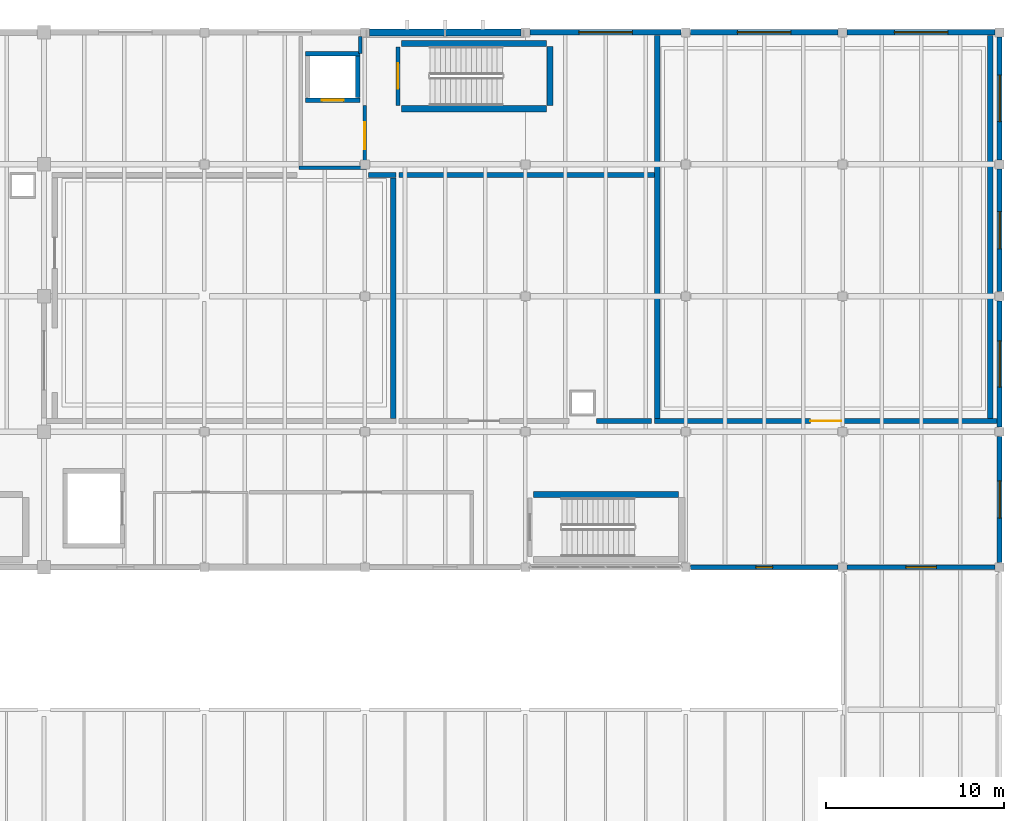
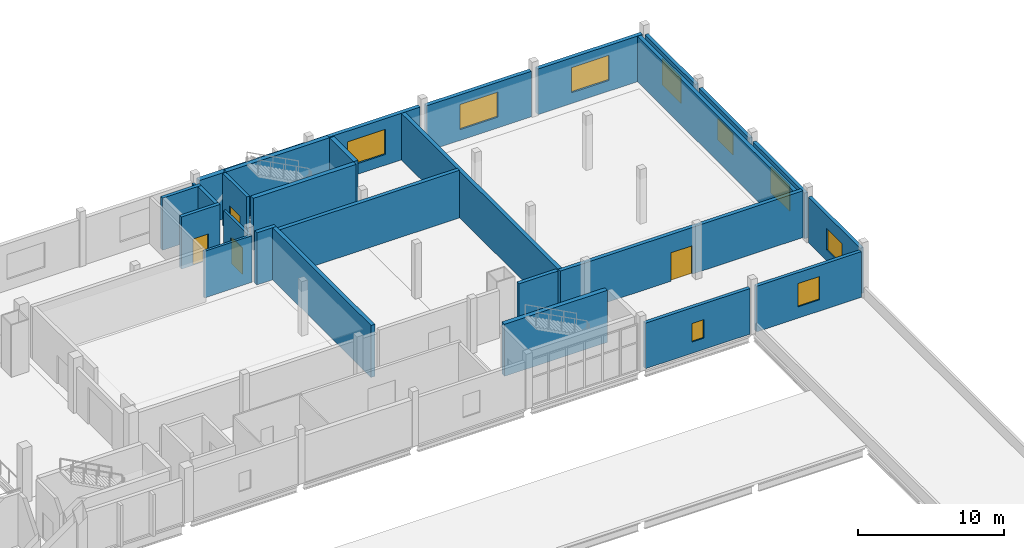
# One storey, part 64 of 74: 28 walls, 9 windows, 4 doors, 13 openings.
"""IFC4 building model written with IfcOpenShell, lengths in metres."""

from ifc_helpers import new_model, si_unit, direction, frame, frame_2d, origin, place, context, subcontext, project, spatial, rectangle, extrude, material, layer, layer_set, type_object, element, fill, save


model = new_model("IFC4")

# Units and contexts
model_context = context("Model", 3, precision=1e-05, world=origin(), true_north=direction((0.0, 1.0)))
body_context = subcontext(model_context, "Body", "Model", "MODEL_VIEW")
ifc_project = project(units=[si_unit("LENGTHUNIT", "METRE"), si_unit("AREAUNIT", "SQUARE_METRE"), si_unit("VOLUMEUNIT", "CUBIC_METRE"), si_unit("PLANEANGLEUNIT", "RADIAN"), si_unit("MASSUNIT", "GRAM", prefix="KILO")], contexts=[model_context])

# Site, building, storey
site_placement = place(None, origin())
site = spatial("IfcSite", under=ifc_project, at=site_placement, CompositionType="ELEMENT")
building_placement = place(site_placement, origin())
building = spatial("IfcBuilding", under=site, at=building_placement, Name="Shengluoqiao Park Theatre", CompositionType="ELEMENT")
storey_placement = place(building_placement, frame((0.0, 0.0, 14.60009765625)))
storey = spatial("IfcBuildingStorey", under=building, at=storey_placement, Name="L03", CompositionType="ELEMENT", Elevation=14.60009765625)

# Wall, opening, window
ifc_material_1 = material(Name="Concrete C40", Category="concrete")
ifc_layer_1 = layer(ifc_material_1, 0.27001953125, Name="Concrete C40")
ifc_layer_set_1 = layer_set([ifc_layer_1], Name="Concrete C40")
wall_type_1 = type_object("IfcWallType", Name="ENV-WL-CONC270", PredefinedType="STANDARD", material=ifc_layer_set_1)
wall_1_placement = place(storey_placement, frame((148.654052734375, 84.0, 0.0), z_axis=(0.0, 0.0, 1.0), x_axis=(1.0, 0.0, 0.0)))
wall_1 = element("IfcWall", 1, at=wall_1_placement, inside=storey, type_object=wall_type_1, Name="L03 Exterior Wall 0245", PredefinedType="STANDARD", context=body_context, shape_type="SweptSolid", body=[
    extrude(rectangle(XDim=8.2919921875, YDim=0.27001953125, at=frame_2d((4.14599609375, 0.0))), origin(), (0.0, 0.0, 1.0), 3.81787109375),
])
opening_1_placement = place(wall_1_placement, frame((3.6708984375, 0.0, 0.949951171875)))
opening_1 = element("IfcOpeningElement", 2, at=opening_1_placement, cuts=wall_1, Name="Opening W-08", PredefinedType="OPENING", context=body_context, shape_type="SweptSolid", body=[
    extrude(rectangle(XDim=0.949951171875, YDim=1.550048828125, at=frame_2d((0.47509765625, 0.77490234375))), frame((0.0, 0.14501953125, 0.0), z_axis=(0.0, -1.0, 0.0), x_axis=(1.0, 0.0, 0.0)), (0.0, 0.0, 1.0), 0.2900390625),
])
ifc_material_2 = material(Name="Insulated glass", Category="glass")
window_type_1 = type_object("IfcWindowType", Name="ENV-WIN-W08", PartitioningType="SINGLE_PANEL", PredefinedType="WINDOW", material=ifc_material_2)
window_1_placement = place(opening_1_placement, origin())
window_1 = element("IfcWindow", 3, at=window_1_placement, inside=storey, type_object=window_type_1, Name="L03 Acoustic Window 0087", OverallHeight=1.550048828125, OverallWidth=0.949951171875, PartitioningType="SINGLE_PANEL", PredefinedType="WINDOW", context=body_context, shape_type="SweptSolid", body=[
    extrude(rectangle(XDim=0.949951171875, YDim=1.550048828125, at=frame_2d((0.47509765625, 0.77490234375))), frame((0.0, 0.030029296875, 0.0), z_axis=(0.0, -1.0, 0.0), x_axis=(1.0, 0.0, 0.0)), (0.0, 0.0, 1.0), 0.06005859375),
])
fill(opening_1, window_1)

wall_2_placement = place(storey_placement, frame((157.4541015625, 84.0, 0.0), z_axis=(0.0, 0.0, 1.0), x_axis=(1.0, 0.0, 0.0)))
wall_2 = element("IfcWall", 4, at=wall_2_placement, inside=storey, type_object=wall_type_1, Name="L03 Exterior Wall 0246", PredefinedType="STANDARD", context=body_context, shape_type="SweptSolid", body=[
    extrude(rectangle(XDim=8.2919921875, YDim=0.27001953125, at=frame_2d((4.14599609375, 0.0))), origin(), (0.0, 0.0, 1.0), 3.81787109375),
])
opening_2_placement = place(wall_2_placement, frame((3.2958984375, 0.0, 0.949951171875)))
opening_2 = element("IfcOpeningElement", 5, at=opening_2_placement, cuts=wall_2, Name="Opening W-16", PredefinedType="OPENING", context=body_context, shape_type="SweptSolid", body=[
    extrude(rectangle(XDim=1.699951171875, YDim=1.949951171875, at=frame_2d((0.85009765625, 0.97509765625))), frame((0.0, 0.14501953125, 0.0), z_axis=(0.0, -1.0, 0.0), x_axis=(1.0, 0.0, 0.0)), (0.0, 0.0, 1.0), 0.2900390625),
])
window_type_2 = type_object("IfcWindowType", Name="ENV-WIN-W16", PartitioningType="DOUBLE_PANEL_VERTICAL", PredefinedType="WINDOW", material=ifc_material_2)
window_2_placement = place(opening_2_placement, origin())
window_2 = element("IfcWindow", 6, at=window_2_placement, inside=storey, type_object=window_type_2, Name="L03 Acoustic Window 0088", OverallHeight=1.949951171875, OverallWidth=1.699951171875, PartitioningType="DOUBLE_PANEL_VERTICAL", PredefinedType="WINDOW", context=body_context, shape_type="SweptSolid", body=[
    extrude(rectangle(XDim=1.699951171875, YDim=1.949951171875, at=frame_2d((0.85009765625, 0.97509765625))), frame((0.0, 0.030029296875, 0.0), z_axis=(0.0, -1.0, 0.0), x_axis=(1.0, 0.0, 0.0)), (0.0, 0.0, 1.0), 0.06005859375),
])
fill(opening_2, window_2)

wall_3_placement = place(storey_placement, frame((166.0, 84.25390625, 0.0), z_axis=(0.0, 0.0, 1.0), x_axis=(0.0, 1.0, 0.0)))
wall_3 = element("IfcWall", 7, at=wall_3_placement, inside=storey, type_object=wall_type_1, Name="L03 Exterior Wall 0247", PredefinedType="STANDARD", context=body_context, shape_type="SweptSolid", body=[
    extrude(rectangle(XDim=7.092041015625, YDim=0.27001953125, at=frame_2d((3.5458984375, 0.0))), origin(), (0.0, 0.0, 1.0), 3.81787109375),
])
opening_3_placement = place(wall_3_placement, frame((2.49609375, 0.0, 0.89990234375)))
opening_3 = element("IfcOpeningElement", 8, at=opening_3_placement, cuts=wall_3, Name="Opening W-05", PredefinedType="OPENING", context=body_context, shape_type="SweptSolid", body=[
    extrude(rectangle(XDim=2.10009765625, YDim=1.800048828125, at=frame_2d((1.050048828125, 0.89990234375))), frame((0.0, 0.14501953125, 0.0), z_axis=(0.0, -1.0, 0.0), x_axis=(1.0, 0.0, 0.0)), (0.0, 0.0, 1.0), 0.2900390625),
])
window_type_3 = type_object("IfcWindowType", Name="ENV-WIN-W05", PartitioningType="DOUBLE_PANEL_VERTICAL", PredefinedType="WINDOW", material=ifc_material_2)
window_3_placement = place(opening_3_placement, origin())
window_3 = element("IfcWindow", 9, at=window_3_placement, inside=storey, type_object=window_type_3, Name="L03 Acoustic Window 0089", OverallHeight=1.800048828125, OverallWidth=2.10009765625, PartitioningType="DOUBLE_PANEL_VERTICAL", PredefinedType="WINDOW", context=body_context, shape_type="SweptSolid", body=[
    extrude(rectangle(XDim=2.10009765625, YDim=1.800048828125, at=frame_2d((1.050048828125, 0.89990234375))), frame((0.0, 0.030029296875, 0.0), z_axis=(0.0, -1.0, 0.0), x_axis=(1.0, 0.0, 0.0)), (0.0, 0.0, 1.0), 0.06005859375),
])
fill(opening_3, window_3)

wall_4_placement = place(storey_placement, frame((166.0, 91.85400390625, 0.0), z_axis=(0.0, 0.0, 1.0), x_axis=(0.0, 1.0, 0.0)))
wall_4 = element("IfcWall", 10, at=wall_4_placement, inside=storey, type_object=wall_type_1, Name="L03 Exterior Wall 0248", PredefinedType="STANDARD", context=body_context, shape_type="SweptSolid", body=[
    extrude(rectangle(XDim=7.092041015625, YDim=0.27001953125, at=frame_2d((3.5458984375, 0.0))), origin(), (0.0, 0.0, 1.0), 3.81787109375),
])
opening_4_placement = place(wall_4_placement, frame((2.24609375, 0.0, 0.89990234375)))
opening_4 = element("IfcOpeningElement", 11, at=opening_4_placement, cuts=wall_4, Name="Opening W-14", PredefinedType="OPENING", context=body_context, shape_type="SweptSolid", body=[
    extrude(rectangle(XDim=2.60009765625, YDim=2.199951171875, at=frame_2d((1.300048828125, 1.10009765625))), frame((0.0, 0.14501953125, 0.0), z_axis=(0.0, -1.0, 0.0), x_axis=(1.0, 0.0, 0.0)), (0.0, 0.0, 1.0), 0.2900390625),
])
window_type_4 = type_object("IfcWindowType", Name="ENV-WIN-W14", PartitioningType="DOUBLE_PANEL_VERTICAL", PredefinedType="WINDOW", material=ifc_material_2)
window_4_placement = place(opening_4_placement, origin())
window_4 = element("IfcWindow", 12, at=window_4_placement, inside=storey, type_object=window_type_4, Name="L03 Acoustic Window 0090", OverallHeight=2.199951171875, OverallWidth=2.60009765625, PartitioningType="DOUBLE_PANEL_VERTICAL", PredefinedType="WINDOW", context=body_context, shape_type="SweptSolid", body=[
    extrude(rectangle(XDim=2.60009765625, YDim=2.199951171875, at=frame_2d((1.300048828125, 1.10009765625))), frame((0.0, 0.030029296875, 0.0), z_axis=(0.0, -1.0, 0.0), x_axis=(1.0, 0.0, 0.0)), (0.0, 0.0, 1.0), 0.06005859375),
])
fill(opening_4, window_4)

wall_5_placement = place(storey_placement, frame((166.0, 99.4541015625, 0.0), z_axis=(0.0, 0.0, 1.0), x_axis=(0.0, 1.0, 0.0)))
wall_5 = element("IfcWall", 13, at=wall_5_placement, inside=storey, type_object=wall_type_1, Name="L03 Exterior Wall 0249", PredefinedType="STANDARD", context=body_context, shape_type="SweptSolid", body=[
    extrude(rectangle(XDim=6.891845703125, YDim=0.27001953125, at=frame_2d((3.44580078125, 0.0))), origin(), (0.0, 0.0, 1.0), 3.81787109375),
])
opening_5_placement = place(wall_5_placement, frame((2.39599609375, 0.0, 0.89990234375)))
opening_5 = element("IfcOpeningElement", 14, at=opening_5_placement, cuts=wall_5, Name="Opening W-05", PredefinedType="OPENING", context=body_context, shape_type="SweptSolid", body=[
    extrude(rectangle(XDim=2.10009765625, YDim=1.800048828125, at=frame_2d((1.050048828125, 0.89990234375))), frame((0.0, 0.14501953125, 0.0), z_axis=(0.0, -1.0, 0.0), x_axis=(1.0, 0.0, 0.0)), (0.0, 0.0, 1.0), 0.2900390625),
])
window_5_placement = place(opening_5_placement, origin())
window_5 = element("IfcWindow", 15, at=window_5_placement, inside=storey, type_object=window_type_3, Name="L03 Acoustic Window 0091", OverallHeight=1.800048828125, OverallWidth=2.10009765625, PartitioningType="DOUBLE_PANEL_VERTICAL", PredefinedType="WINDOW", context=body_context, shape_type="SweptSolid", body=[
    extrude(rectangle(XDim=2.10009765625, YDim=1.800048828125, at=frame_2d((1.050048828125, 0.89990234375))), frame((0.0, 0.030029296875, 0.0), z_axis=(0.0, -1.0, 0.0), x_axis=(1.0, 0.0, 0.0)), (0.0, 0.0, 1.0), 0.06005859375),
])
fill(opening_5, window_5)

wall_6_placement = place(storey_placement, frame((166.0, 106.85400390625, 0.0), z_axis=(0.0, 0.0, 1.0), x_axis=(0.0, 1.0, 0.0)))
wall_6 = element("IfcWall", 16, at=wall_6_placement, inside=storey, type_object=wall_type_1, Name="L03 Exterior Wall 0250", PredefinedType="STANDARD", context=body_context, shape_type="SweptSolid", body=[
    extrude(rectangle(XDim=6.89208984375, YDim=0.27001953125, at=frame_2d((3.446044921875, 0.0))), origin(), (0.0, 0.0, 1.0), 3.81787109375),
])
opening_6_placement = place(wall_6_placement, frame((2.14599609375, 0.0, 0.89990234375)))
opening_6 = element("IfcOpeningElement", 17, at=opening_6_placement, cuts=wall_6, Name="Opening W-14", PredefinedType="OPENING", context=body_context, shape_type="SweptSolid", body=[
    extrude(rectangle(XDim=2.60009765625, YDim=2.199951171875, at=frame_2d((1.300048828125, 1.10009765625))), frame((0.0, 0.14501953125, 0.0), z_axis=(0.0, -1.0, 0.0), x_axis=(1.0, 0.0, 0.0)), (0.0, 0.0, 1.0), 0.2900390625),
])
window_6_placement = place(opening_6_placement, origin())
window_6 = element("IfcWindow", 18, at=window_6_placement, inside=storey, type_object=window_type_4, Name="L03 Acoustic Window 0092", OverallHeight=2.199951171875, OverallWidth=2.60009765625, PartitioningType="DOUBLE_PANEL_VERTICAL", PredefinedType="WINDOW", context=body_context, shape_type="SweptSolid", body=[
    extrude(rectangle(XDim=2.60009765625, YDim=2.199951171875, at=frame_2d((1.300048828125, 1.10009765625))), frame((0.0, 0.030029296875, 0.0), z_axis=(0.0, -1.0, 0.0), x_axis=(1.0, 0.0, 0.0)), (0.0, 0.0, 1.0), 0.06005859375),
])
fill(opening_6, window_6)

ifc_layer_2 = layer(ifc_material_1, 0.31005859375, Name="Concrete C40")
ifc_layer_set_2 = layer_set([ifc_layer_2], Name="Concrete C40")
wall_type_2 = type_object("IfcWallType", Name="ENV-WL-CONC310", PredefinedType="STANDARD", material=ifc_layer_set_2)
wall_7_placement = place(storey_placement, frame((139.654052734375, 114.0, 0.0), z_axis=(0.0, 0.0, 1.0), x_axis=(1.0, 0.0, 0.0)))
wall_7 = element("IfcWall", 19, at=wall_7_placement, inside=storey, type_object=wall_type_2, Name="L03 Exterior Wall 0239", PredefinedType="STANDARD", context=body_context, shape_type="SweptSolid", body=[
    extrude(rectangle(XDim=8.491943359375, YDim=0.31005859375, at=frame_2d((4.24609375, 0.0))), origin(), (0.0, 0.0, 1.0), 3.89794921875),
])
opening_7_placement = place(wall_7_placement, frame((2.74609375, 0.0, 0.89990234375)))
opening_7 = element("IfcOpeningElement", 20, at=opening_7_placement, cuts=wall_7, Name="Opening W-13", PredefinedType="OPENING", context=body_context, shape_type="SweptSolid", body=[
    extrude(rectangle(XDim=3.0, YDim=2.10009765625, at=frame_2d((1.5, 1.050048828125))), frame((0.0, 0.1650390625, 0.0), z_axis=(0.0, -1.0, 0.0), x_axis=(1.0, 0.0, 0.0)), (0.0, 0.0, 1.0), 0.330078125),
])
window_type_5 = type_object("IfcWindowType", Name="ENV-WIN-W13", PartitioningType="TRIPLE_PANEL_VERTICAL", PredefinedType="WINDOW", material=ifc_material_2)
window_7_placement = place(opening_7_placement, origin())
window_7 = element("IfcWindow", 21, at=window_7_placement, inside=storey, type_object=window_type_5, Name="L03 Acoustic Window 0082", OverallHeight=2.10009765625, OverallWidth=3.0, PartitioningType="TRIPLE_PANEL_VERTICAL", PredefinedType="WINDOW", context=body_context, shape_type="SweptSolid", body=[
    extrude(rectangle(XDim=3.0, YDim=2.10009765625, at=frame_2d((1.5, 1.050048828125))), frame((0.0, 0.030029296875, 0.0), z_axis=(0.0, -1.0, 0.0), x_axis=(1.0, 0.0, 0.0)), (0.0, 0.0, 1.0), 0.06005859375),
])
fill(opening_7, window_7)

wall_8_placement = place(storey_placement, frame((148.654052734375, 114.0, 0.0), z_axis=(0.0, 0.0, 1.0), x_axis=(1.0, 0.0, 0.0)))
wall_8 = element("IfcWall", 22, at=wall_8_placement, inside=storey, type_object=wall_type_2, Name="L03 Exterior Wall 0240", PredefinedType="STANDARD", context=body_context, shape_type="SweptSolid", body=[
    extrude(rectangle(XDim=8.2919921875, YDim=0.31005859375, at=frame_2d((4.14599609375, 0.0))), origin(), (0.0, 0.0, 1.0), 3.81787109375),
])
opening_8_placement = place(wall_8_placement, frame((2.64599609375, 0.0, 0.89990234375)))
opening_8 = element("IfcOpeningElement", 23, at=opening_8_placement, cuts=wall_8, Name="Opening W-13", PredefinedType="OPENING", context=body_context, shape_type="SweptSolid", body=[
    extrude(rectangle(XDim=3.0, YDim=2.10009765625, at=frame_2d((1.5, 1.050048828125))), frame((0.0, 0.1650390625, 0.0), z_axis=(0.0, -1.0, 0.0), x_axis=(1.0, 0.0, 0.0)), (0.0, 0.0, 1.0), 0.330078125),
])
window_8_placement = place(opening_8_placement, origin())
window_8 = element("IfcWindow", 24, at=window_8_placement, inside=storey, type_object=window_type_5, Name="L03 Acoustic Window 0083", OverallHeight=2.10009765625, OverallWidth=3.0, PartitioningType="TRIPLE_PANEL_VERTICAL", PredefinedType="WINDOW", context=body_context, shape_type="SweptSolid", body=[
    extrude(rectangle(XDim=3.0, YDim=2.10009765625, at=frame_2d((1.5, 1.050048828125))), frame((0.0, 0.030029296875, 0.0), z_axis=(0.0, -1.0, 0.0), x_axis=(1.0, 0.0, 0.0)), (0.0, 0.0, 1.0), 0.06005859375),
])
fill(opening_8, window_8)

wall_9_placement = place(storey_placement, frame((157.4541015625, 114.0, 0.0), z_axis=(0.0, 0.0, 1.0), x_axis=(1.0, 0.0, 0.0)))
wall_9 = element("IfcWall", 25, at=wall_9_placement, inside=storey, type_object=wall_type_2, Name="L03 Exterior Wall 0241", PredefinedType="STANDARD", context=body_context, shape_type="SweptSolid", body=[
    extrude(rectangle(XDim=8.2919921875, YDim=0.31005859375, at=frame_2d((4.14599609375, 0.0))), origin(), (0.0, 0.0, 1.0), 3.81787109375),
])
opening_9_placement = place(wall_9_placement, frame((2.64599609375, 0.0, 0.89990234375)))
opening_9 = element("IfcOpeningElement", 26, at=opening_9_placement, cuts=wall_9, Name="Opening W-13", PredefinedType="OPENING", context=body_context, shape_type="SweptSolid", body=[
    extrude(rectangle(XDim=3.0, YDim=2.10009765625, at=frame_2d((1.5, 1.050048828125))), frame((0.0, 0.1650390625, 0.0), z_axis=(0.0, -1.0, 0.0), x_axis=(1.0, 0.0, 0.0)), (0.0, 0.0, 1.0), 0.330078125),
])
window_9_placement = place(opening_9_placement, origin())
window_9 = element("IfcWindow", 27, at=window_9_placement, inside=storey, type_object=window_type_5, Name="L03 Acoustic Window 0084", OverallHeight=2.10009765625, OverallWidth=3.0, PartitioningType="TRIPLE_PANEL_VERTICAL", PredefinedType="WINDOW", context=body_context, shape_type="SweptSolid", body=[
    extrude(rectangle(XDim=3.0, YDim=2.10009765625, at=frame_2d((1.5, 1.050048828125))), frame((0.0, 0.030029296875, 0.0), z_axis=(0.0, -1.0, 0.0), x_axis=(1.0, 0.0, 0.0)), (0.0, 0.0, 1.0), 0.06005859375),
])
fill(opening_9, window_9)

# Walls
ifc_material_3 = material(Name="Concrete C45", Category="concrete")
ifc_layer_3 = layer(ifc_material_3, 0.3798828125, Name="Concrete C45")
ifc_layer_set_3 = layer_set([ifc_layer_3], Name="Concrete C45")
wall_type_3 = type_object("IfcWallType", Name="ENV-WL-CONC380", PredefinedType="STANDARD", material=ifc_layer_set_3)
wall_10_placement = place(storey_placement, frame((130.654052734375, 114.0, 0.0), z_axis=(0.0, 0.0, 1.0), x_axis=(1.0, 0.0, 0.0)))
element("IfcWall", 28, at=wall_10_placement, inside=storey, type_object=wall_type_3, Name="L03 Exterior Wall 0238", PredefinedType="STANDARD", context=body_context, shape_type="SweptSolid", body=[
    extrude(rectangle(XDim=8.491943359375, YDim=0.3798828125, at=frame_2d((4.24609375, 0.0))), origin(), (0.0, 0.0, 1.0), 3.89794921875),
])
ifc_material_4 = material(Name="Gypsum acoustic stud", Category="gypsum")
ifc_layer_4 = layer(ifc_material_4, 0.300048828125, Name="Gypsum acoustic stud")
ifc_layer_set_4 = layer_set([ifc_layer_4], Name="Gypsum acoustic stud")
wall_type_4 = type_object("IfcWallType", Name="INT-WL-ACO300", PredefinedType="PARTITIONING", material=ifc_layer_set_4)
wall_11_placement = place(storey_placement, frame((130.607421875, 106.0, 0.0), z_axis=(0.0, 0.0, 1.0), x_axis=(1.0, 0.0, 0.0)))
element("IfcWall", 29, at=wall_11_placement, inside=storey, type_object=wall_type_4, Name="Full-Stage Rehearsal Room Partition N", PredefinedType="PARTITIONING", context=body_context, shape_type="SweptSolid", body=[
    extrude(rectangle(XDim=1.54248046875, YDim=0.300048828125, at=frame_2d((0.771240234375, 0.0))), origin(), (0.0, 0.0, 1.0), 4.35986328125),
])
wall_12_placement = place(storey_placement, frame((132.0, 92.35595703125, 0.0), z_axis=(0.0, 0.0, 1.0), x_axis=(0.0, 1.0, 0.0)))
element("IfcWall", 30, at=wall_12_placement, inside=storey, type_object=wall_type_4, Name="Full-Stage Rehearsal Room Partition E", PredefinedType="PARTITIONING", context=body_context, shape_type="SweptSolid", body=[
    extrude(rectangle(XDim=13.488037109375, YDim=0.300048828125, at=frame_2d((6.744140625, 0.0))), origin(), (0.0, 0.0, 1.0), 4.35986328125),
])

# Wall, opening, door
wall_13_placement = place(storey_placement, frame((146.64990234375, 92.199951171875, 0.0), z_axis=(0.0, 0.0, 1.0), x_axis=(1.0, 0.0, 0.0)))
wall_13 = element("IfcWall", 31, at=wall_13_placement, inside=storey, type_object=wall_type_4, Name="Chorus Rehearsal Room Partition S", PredefinedType="PARTITIONING", context=body_context, shape_type="SweptSolid", body=[
    extrude(rectangle(XDim=19.20703125, YDim=0.300048828125, at=frame_2d((9.603515625, 0.0))), origin(), (0.0, 0.0, 1.0), 3.907958984375),
])
opening_10_placement = place(wall_13_placement, frame((8.743408203125, 0.0, 0.0)))
opening_10 = element("IfcOpeningElement", 32, at=opening_10_placement, cuts=wall_13, Name="Opening D-L03-080", PredefinedType="OPENING", context=body_context, shape_type="SweptSolid", body=[
    extrude(rectangle(XDim=1.719970703125, YDim=2.3798828125, at=frame_2d((0.85986328125, 1.18994140625))), frame((0.0, 0.159912109375, 0.0), z_axis=(0.0, -1.0, 0.0), x_axis=(1.0, 0.0, 0.0)), (0.0, 0.0, 1.0), 0.320068359375),
])
ifc_material_5 = material(Name="Acoustic timber", Category="wood")
door_type_1 = type_object("IfcDoorType", Name="INT-DR-REH172", OperationType="DOUBLE_DOOR_SINGLE_SWING", PredefinedType="DOOR", material=ifc_material_5)
door_1_placement = place(opening_10_placement, origin())
door_1 = element("IfcDoor", 33, at=door_1_placement, inside=storey, type_object=door_type_1, Name="Chorus Rehearsal Room Door D-L03-080", OperationType="DOUBLE_DOOR_SINGLE_SWING", OverallHeight=2.3798828125, OverallWidth=1.719970703125, PredefinedType="DOOR", context=body_context, shape_type="SweptSolid", body=[
    extrude(rectangle(XDim=1.719970703125, YDim=2.3798828125, at=frame_2d((0.85986328125, 1.18994140625))), frame((0.0, 0.02490234375, 0.0), z_axis=(0.0, -1.0, 0.0), x_axis=(1.0, 0.0, 0.0)), (0.0, 0.0, 1.0), 0.050048828125),
])
fill(opening_10, door_1)

# Walls
wall_14_placement = place(storey_placement, frame((146.800048828125, 92.35595703125, 0.0), z_axis=(0.0, 0.0, 1.0), x_axis=(0.0, 1.0, 0.0)))
element("IfcWall", 34, at=wall_14_placement, inside=storey, type_object=wall_type_4, Name="Chorus Rehearsal Room Partition W", PredefinedType="PARTITIONING", context=body_context, shape_type="SweptSolid", body=[
    extrude(rectangle(XDim=21.48095703125, YDim=0.300048828125, at=frame_2d((10.740478515625, 0.0))), origin(), (0.0, 0.0, 1.0), 3.89794921875),
])
wall_15_placement = place(storey_placement, frame((165.47998046875, 92.35595703125, 0.0), z_axis=(0.0, 0.0, 1.0), x_axis=(0.0, 1.0, 0.0)))
element("IfcWall", 35, at=wall_15_placement, inside=storey, type_object=wall_type_4, Name="Chorus Rehearsal Room Partition E", PredefinedType="PARTITIONING", context=body_context, shape_type="SweptSolid", body=[
    extrude(rectangle(XDim=21.48095703125, YDim=0.300048828125, at=frame_2d((10.740478515625, 0.0))), origin(), (0.0, 0.0, 1.0), 3.81787109375),
])
wall_16_placement = place(storey_placement, frame((143.382568359375, 92.199951171875, 0.0), z_axis=(0.0, 0.0, 1.0), x_axis=(1.0, 0.0, 0.0)))
element("IfcWall", 36, at=wall_16_placement, inside=storey, type_object=wall_type_4, Name="Percussion and Brass Section Studio Partition S", PredefinedType="PARTITIONING", context=body_context, shape_type="SweptSolid", body=[
    extrude(rectangle(XDim=3.097412109375, YDim=0.300048828125, at=frame_2d((1.548828125, 0.0))), origin(), (0.0, 0.0, 1.0), 3.98779296875),
])
wall_17_placement = place(storey_placement, frame((132.320068359375, 106.0, 0.0), z_axis=(0.0, 0.0, 1.0), x_axis=(1.0, 0.0, 0.0)))
element("IfcWall", 37, at=wall_17_placement, inside=storey, type_object=wall_type_4, Name="Percussion and Brass Section Studio Partition N", PredefinedType="PARTITIONING", context=body_context, shape_type="SweptSolid", body=[
    extrude(rectangle(XDim=14.322021484375, YDim=0.300048828125, at=frame_2d((7.1611328125, 0.0))), origin(), (0.0, 0.0, 1.0), 3.98779296875),
])
ifc_material_6 = material(Name="Concrete blockwork B06", Category="masonry")
ifc_layer_5 = layer(ifc_material_6, 0.195068359375, Name="Concrete blockwork B06")
ifc_layer_set_5 = layer_set([ifc_layer_5], Name="Concrete blockwork B06")
wall_type_5 = type_object("IfcWallType", Name="INT-WL-FFL195", PredefinedType="PARTITIONING", material=ifc_layer_set_5)
wall_18_placement = place(storey_placement, frame((126.7099609375, 106.39990234375, 0.0), z_axis=(0.0, 0.0, 1.0), x_axis=(1.0, 0.0, 0.0)))
element("IfcWall", 38, at=wall_18_placement, inside=storey, type_object=wall_type_5, Name="L03 Firefighting Lift Lobby FF2 Fire Wall S", PredefinedType="PARTITIONING", context=body_context, shape_type="SweptSolid", body=[
    extrude(rectangle(XDim=3.780029296875, YDim=0.195068359375, at=frame_2d((1.89013671875, 0.0))), origin(), (0.0, 0.0, 1.0), 3.89794921875),
])

# Wall, opening, door
wall_19_placement = place(storey_placement, frame((130.39990234375, 106.5048828125, 0.0), z_axis=(0.0, 0.0, 1.0), x_axis=(0.0, 1.0, 0.0)))
wall_19 = element("IfcWall", 39, at=wall_19_placement, inside=storey, type_object=wall_type_5, Name="L03 Firefighting Lift Lobby FF2 Fire Wall E", PredefinedType="PARTITIONING", context=body_context, shape_type="SweptSolid", body=[
    extrude(rectangle(XDim=3.39013671875, YDim=0.195068359375, at=frame_2d((1.695068359375, 0.0))), origin(), (0.0, 0.0, 1.0), 3.89794921875),
])
opening_11_placement = place(wall_19_placement, frame((0.945068359375, 0.0, 0.0)))
opening_11 = element("IfcOpeningElement", 40, at=opening_11_placement, cuts=wall_19, Name="Opening FD-FFL-2-L03", PredefinedType="OPENING", context=body_context, shape_type="SweptSolid", body=[
    extrude(rectangle(XDim=1.5, YDim=2.199951171875, at=frame_2d((0.75, 1.10009765625))), frame((0.0, 0.107421875, 0.0), z_axis=(0.0, -1.0, 0.0), x_axis=(1.0, 0.0, 0.0)), (0.0, 0.0, 1.0), 0.215087890625),
])
ifc_material_7 = material(Name="Steel Q355", Category="steel")
door_type_2 = type_object("IfcDoorType", Name="INT-DR-FFL150", OperationType="DOUBLE_DOOR_SINGLE_SWING", PredefinedType="DOOR", material=ifc_material_7)
door_2_placement = place(opening_11_placement, origin())
door_2 = element("IfcDoor", 41, at=door_2_placement, inside=storey, type_object=door_type_2, Name="L03 Firefighting Lift Lobby FF2 Fire Door FD-FFL-2-L03", OperationType="DOUBLE_DOOR_SINGLE_SWING", OverallHeight=2.199951171875, OverallWidth=1.5, PredefinedType="DOOR", context=body_context, shape_type="SweptSolid", body=[
    extrude(rectangle(XDim=1.5, YDim=2.199951171875, at=frame_2d((0.75, 1.10009765625))), frame((0.0, 0.02490234375, 0.0), z_axis=(0.0, -1.0, 0.0), x_axis=(1.0, 0.0, 0.0)), (0.0, 0.0, 1.0), 0.050048828125),
])
fill(opening_11, door_2)

# Wall
wall_20_placement = place(storey_placement, frame((130.139892578125, 112.820068359375, 0.0), z_axis=(0.0, 0.0, 1.0), x_axis=(0.0, 1.0, 0.0)))
element("IfcWall", 42, at=wall_20_placement, inside=storey, type_object=wall_type_5, Name="L03 Firefighting Lift Lobby FF2 Fire Wall N", PredefinedType="PARTITIONING", context=body_context, shape_type="SweptSolid", body=[
    extrude(rectangle(XDim=0.9599609375, YDim=0.195068359375, at=frame_2d((0.47998046875, 0.0))), origin(), (0.0, 0.0, 1.0), 3.89794921875),
])

# Wall, opening, door
ifc_layer_6 = layer(ifc_material_1, 0.260009765625, Name="Concrete C40")
ifc_layer_set_6 = layer_set([ifc_layer_6], Name="Concrete C40")
wall_type_6 = type_object("IfcWallType", Name="INT-WL-SHF260", PredefinedType="STANDARD", material=ifc_layer_set_6)
wall_21_placement = place(storey_placement, frame((127.070068359375, 110.199951171875, 0.0), z_axis=(0.0, 0.0, 1.0), x_axis=(1.0, 0.0, 0.0)))
wall_21 = element("IfcWall", 43, at=wall_21_placement, inside=storey, type_object=wall_type_6, Name="L03 FF2 Lift Shaft Wall South", PredefinedType="STANDARD", context=body_context, shape_type="SweptSolid", body=[
    extrude(rectangle(XDim=3.059814453125, YDim=0.260009765625, at=frame_2d((1.52978515625, 0.0))), origin(), (0.0, 0.0, 1.0), 4.35986328125),
])
opening_12_placement = place(wall_21_placement, frame((0.919921875, 0.0, 0.0)))
opening_12 = element("IfcOpeningElement", 44, at=opening_12_placement, cuts=wall_21, Name="Opening LD-FF2-L03", PredefinedType="OPENING", context=body_context, shape_type="SweptSolid", body=[
    extrude(rectangle(XDim=1.219970703125, YDim=2.199951171875, at=frame_2d((0.60986328125, 1.10009765625))), frame((0.0, 0.139892578125, 0.0), z_axis=(0.0, -1.0, 0.0), x_axis=(1.0, 0.0, 0.0)), (0.0, 0.0, 1.0), 0.280029296875),
])
ifc_material_8 = material(Name="Stainless steel 304", Category="steel")
door_type_3 = type_object("IfcDoorType", Name="INT-DR-LD122", OperationType="SLIDING_TO_RIGHT", PredefinedType="DOOR", material=ifc_material_8)
door_3_placement = place(opening_12_placement, origin())
door_3 = element("IfcDoor", 45, at=door_3_placement, inside=storey, type_object=door_type_3, Name="FF2 Lift Landing Door LD-FF2-L03", OperationType="SLIDING_TO_RIGHT", OverallHeight=2.199951171875, OverallWidth=1.219970703125, PredefinedType="DOOR", context=body_context, shape_type="SweptSolid", body=[
    extrude(rectangle(XDim=1.219970703125, YDim=2.199951171875, at=frame_2d((0.60986328125, 1.10009765625))), frame((0.0, 0.02490234375, 0.0), z_axis=(0.0, -1.0, 0.0), x_axis=(1.0, 0.0, 0.0)), (0.0, 0.0, 1.0), 0.050048828125),
])
fill(opening_12, door_3)

# Walls
wall_22_placement = place(storey_placement, frame((127.070068359375, 112.800048828125, 0.0), z_axis=(0.0, 0.0, 1.0), x_axis=(1.0, 0.0, 0.0)))
element("IfcWall", 46, at=wall_22_placement, inside=storey, type_object=wall_type_6, Name="L03 FF2 Lift Shaft Wall North", PredefinedType="STANDARD", context=body_context, shape_type="SweptSolid", body=[
    extrude(rectangle(XDim=3.059814453125, YDim=0.260009765625, at=frame_2d((1.52978515625, 0.0))), origin(), (0.0, 0.0, 1.0), 4.35986328125),
])
wall_23_placement = place(storey_placement, frame((130.0, 110.3359375, 0.0), z_axis=(0.0, 0.0, 1.0), x_axis=(0.0, 1.0, 0.0)))
element("IfcWall", 47, at=wall_23_placement, inside=storey, type_object=wall_type_6, Name="L03 FF2 Lift Shaft Wall East", PredefinedType="STANDARD", context=body_context, shape_type="SweptSolid", body=[
    extrude(rectangle(XDim=2.328125, YDim=0.260009765625, at=frame_2d((1.1640625, 0.0))), origin(), (0.0, 0.0, 1.0), 4.35986328125),
])

# Wall, opening, door
ifc_layer_7 = layer(ifc_material_1, 0.239990234375, Name="Concrete C40")
ifc_layer_set_7 = layer_set([ifc_layer_7], Name="Concrete C40")
wall_type_7 = type_object("IfcWallType", Name="INT-WL-STW240", PredefinedType="STANDARD", material=ifc_layer_set_7)
wall_24_placement = place(storey_placement, frame((132.260009765625, 109.909912109375, 0.0), z_axis=(0.0, 0.0, 1.0), x_axis=(0.0, 1.0, 0.0)))
wall_24 = element("IfcWall", 48, at=wall_24_placement, inside=storey, type_object=wall_type_7, Name="L03 ST-06 Stairwell Fire Wall", PredefinedType="STANDARD", context=body_context, shape_type="SweptSolid", body=[
    extrude(rectangle(XDim=3.280029296875, YDim=0.239990234375, at=frame_2d((1.64013671875, 0.0))), origin(), (0.0, 0.0, 1.0), 4.35986328125),
])
opening_13_placement = place(wall_24_placement, frame((0.9150390625, 0.0, 0.0)))
opening_13 = element("IfcOpeningElement", 49, at=opening_13_placement, cuts=wall_24, Name="Opening SD-06-L03", PredefinedType="OPENING", context=body_context, shape_type="SweptSolid", body=[
    extrude(rectangle(XDim=1.449951171875, YDim=2.199951171875, at=frame_2d((0.72509765625, 1.10009765625))), frame((0.0, 0.1298828125, 0.0), z_axis=(0.0, -1.0, 0.0), x_axis=(1.0, 0.0, 0.0)), (0.0, 0.0, 1.0), 0.260009765625),
])
door_type_4 = type_object("IfcDoorType", Name="INT-DR-STW145", OperationType="DOUBLE_DOOR_SINGLE_SWING", PredefinedType="DOOR", material=ifc_material_7)
door_4_placement = place(opening_13_placement, origin())
door_4 = element("IfcDoor", 50, at=door_4_placement, inside=storey, type_object=door_type_4, Name="L03 ST-06 Escape Stair Door SD-06-L03", OperationType="DOUBLE_DOOR_SINGLE_SWING", OverallHeight=2.199951171875, OverallWidth=1.449951171875, PredefinedType="DOOR", context=body_context, shape_type="SweptSolid", body=[
    extrude(rectangle(XDim=1.449951171875, YDim=2.199951171875, at=frame_2d((0.72509765625, 1.10009765625))), frame((0.0, 0.02490234375, 0.0), z_axis=(0.0, -1.0, 0.0), x_axis=(1.0, 0.0, 0.0)), (0.0, 0.0, 1.0), 0.050048828125),
])
fill(opening_13, door_4)

# Walls
ifc_material_9 = material(Name="Concrete C50", Category="concrete")
ifc_layer_8 = layer(ifc_material_9, 0.35009765625, Name="Concrete C50")
ifc_layer_set_8 = layer_set([ifc_layer_8], Name="Concrete C50")
wall_type_8 = type_object("IfcWallType", Name="STR-SW-CORE350", PredefinedType="SHEAR", material=ifc_layer_set_8)
wall_25_placement = place(storey_placement, frame((132.449951171875, 109.719970703125, 0.0), z_axis=(0.0, 0.0, 1.0), x_axis=(1.0, 0.0, 0.0)))
element("IfcWall", 51, at=wall_25_placement, inside=storey, type_object=wall_type_8, Name="L03 ST-06 Core Left Shear Wall 0118", PredefinedType="SHEAR", context=body_context, shape_type="SweptSolid", body=[
    extrude(rectangle(XDim=8.150146484375, YDim=0.35009765625, at=frame_2d((4.0751953125, 0.0))), origin(), (0.0, 0.0, 1.0), 4.35986328125),
])
wall_26_placement = place(storey_placement, frame((140.780029296875, 109.89990234375, 0.0), z_axis=(0.0, 0.0, 1.0), x_axis=(0.0, 1.0, 0.0)))
element("IfcWall", 52, at=wall_26_placement, inside=storey, type_object=wall_type_8, Name="L03 ST-06 Core Far Shear Wall 0119", PredefinedType="SHEAR", context=body_context, shape_type="SweptSolid", body=[
    extrude(rectangle(XDim=3.300048828125, YDim=0.35009765625, at=frame_2d((1.64990234375, 0.0))), origin(), (0.0, 0.0, 1.0), 4.35986328125),
])
wall_27_placement = place(storey_placement, frame((140.60009765625, 113.3798828125, 0.0), z_axis=(0.0, 0.0, 1.0), x_axis=(-1.0, 0.0, 0.0)))
element("IfcWall", 53, at=wall_27_placement, inside=storey, type_object=wall_type_8, Name="L03 ST-06 Core Right Shear Wall 0120", PredefinedType="SHEAR", context=body_context, shape_type="SweptSolid", body=[
    extrude(rectangle(XDim=8.150146484375, YDim=0.35009765625, at=frame_2d((4.0751953125, 0.0))), origin(), (0.0, 0.0, 1.0), 4.35986328125),
])
wall_28_placement = place(storey_placement, frame((148.0, 88.080078125, 0.0), z_axis=(0.0, 0.0, 1.0), x_axis=(-1.0, 0.0, 0.0)))
element("IfcWall", 54, at=wall_28_placement, inside=storey, type_object=wall_type_8, Name="L03 ST-10 Core Right Shear Wall 0141", PredefinedType="SHEAR", context=body_context, shape_type="SweptSolid", body=[
    extrude(rectangle(XDim=8.14990234375, YDim=0.35009765625, at=frame_2d((4.074951171875, 0.0))), origin(), (0.0, 0.0, 1.0), 4.35986328125),
])

save(model, "model.ifc")
